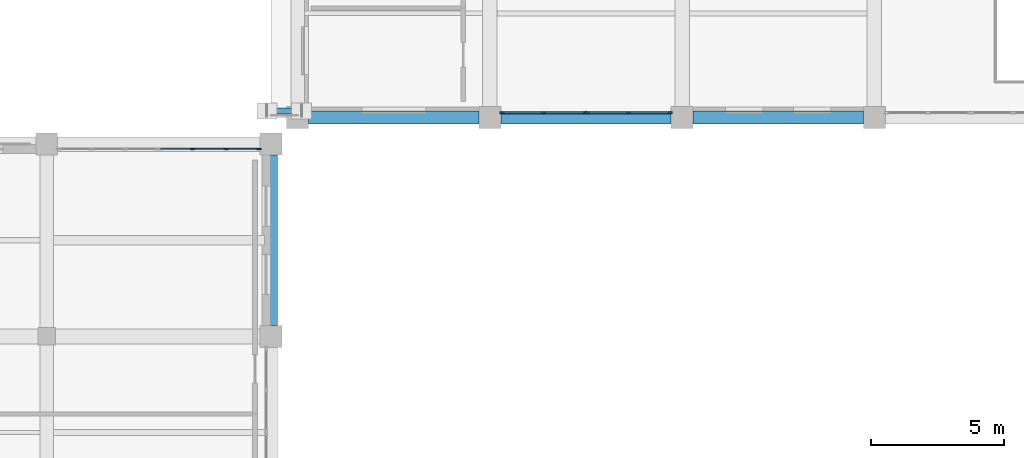
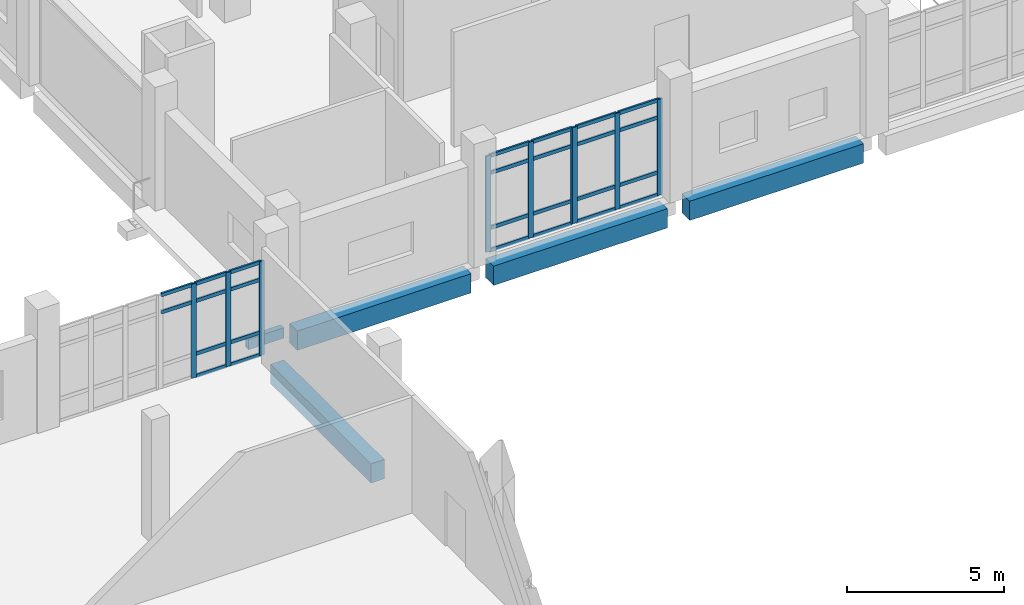
# One storey, part 8 of 90: 35 members, 5 beams, 3 elements without a shape of their own.
"""IFC4 building model written with IfcOpenShell, lengths in metres."""

from ifc_helpers import new_model, si_unit, direction, frame, origin, origin_2d, place, context, subcontext, project, spatial, rectangle, hollow_rectangle, extrude, material, layer, layer_set, material_profile, profile_set, type_object, element, aggregate, save


model = new_model("IFC4")

# Units and contexts
model_context = context("Model", 3, precision=1e-05, world=origin(), true_north=direction((0.0, 1.0)))
body_context = subcontext(model_context, "Body", "Model", "MODEL_VIEW")
ifc_project = project(units=[si_unit("LENGTHUNIT", "METRE"), si_unit("AREAUNIT", "SQUARE_METRE"), si_unit("VOLUMEUNIT", "CUBIC_METRE"), si_unit("PLANEANGLEUNIT", "RADIAN"), si_unit("MASSUNIT", "GRAM", prefix="KILO")], contexts=[model_context])

# Site, building, storey
site_placement = place(None, origin())
site = spatial("IfcSite", under=ifc_project, at=site_placement, CompositionType="ELEMENT")
building_placement = place(site_placement, origin())
building = spatial("IfcBuilding", under=site, at=building_placement, Name="Kelarvand Opera House", CompositionType="ELEMENT")
storey_placement = place(building_placement, frame((0.0, 0.0, 5.39990234375)))
storey = spatial("IfcBuildingStorey", under=building, at=storey_placement, Name="L01", CompositionType="ELEMENT", Elevation=5.39990234375)

# Curtain wall, members
ifc_material_1 = material(Name="Thermally broken aluminium and low-E glazing", Category="aluminium")
ifc_layer_1 = layer(ifc_material_1, 0.179931640625, Name="Thermally broken aluminium and low-E glazing", Category="aluminium")
ifc_layer_set_1 = layer_set([ifc_layer_1], Name="Thermally broken aluminium and low-E glazing")
curtain_wall_type_1 = type_object("IfcCurtainWallType", Name="Unitised Low-E Curtain Wall 3176x3730 Mod 1350 CWF-10", PredefinedType="USERDEFINED", material=ifc_layer_set_1)
curtain_wall_1_placement = place(storey_placement, origin())
curtain_wall_1 = element("IfcCurtainWall", 1, at=curtain_wall_1_placement, inside=storey, type_object=curtain_wall_type_1, Name="V2 L01 Curtain Wall CWF-10 (37)", ObjectType="UNITISED CURTAIN WALL", PredefinedType="USERDEFINED")
ifc_material_2 = material(Name="Thermally broken anodised aluminium", Category="aluminium")
ifc_material_profile_1 = material_profile(ifc_material_2, rectangle(XDim=0.06494140625, YDim=0.179931640625, at=origin_2d()), Name="ALU MULLION 65x180", Category="aluminium")
ifc_profile_set_1 = profile_set([ifc_material_profile_1], Name="Thermally broken anodised aluminium")
member_type_1 = type_object("IfcMemberType", Name="Curtain Wall Mullion 65x180 Aluminium", PredefinedType="MULLION", material=ifc_profile_set_1)
member_1_placement = place(storey_placement, frame((65.947509765625, 38.97998046875, 0.0), z_axis=(0.0, 0.0, 1.0), x_axis=(0.0, -1.0, 0.0)))
member_1 = element("IfcMember", 2, at=member_1_placement, type_object=member_type_1, Name="CWF-10 mullion 1", PredefinedType="MULLION", context=body_context, shape_type="SweptSolid", body=[
    extrude(rectangle(XDim=0.06494140625, YDim=0.179931640625, at=origin_2d()), origin(), (0.0, 0.0, 1.0), 3.72998046875),
])
member_2_placement = place(storey_placement, frame((64.39208984375, 38.97998046875, 0.0), z_axis=(0.0, 0.0, 1.0), x_axis=(0.0, -1.0, 0.0)))
member_2 = element("IfcMember", 3, at=member_2_placement, type_object=member_type_1, Name="CWF-10 mullion 2", PredefinedType="MULLION", context=body_context, shape_type="SweptSolid", body=[
    extrude(rectangle(XDim=0.06494140625, YDim=0.179931640625, at=origin_2d()), origin(), (0.0, 0.0, 1.0), 3.72998046875),
])
member_3_placement = place(storey_placement, frame((62.83642578125, 38.97998046875, 0.0), z_axis=(0.0, 0.0, 1.0), x_axis=(0.0, -1.0, 0.0)))
member_3 = element("IfcMember", 4, at=member_3_placement, type_object=member_type_1, Name="CWF-10 mullion 3", PredefinedType="MULLION", context=body_context, shape_type="SweptSolid", body=[
    extrude(rectangle(XDim=0.06494140625, YDim=0.179931640625, at=origin_2d()), origin(), (0.0, 0.0, 1.0), 3.72998046875),
])

curtain_wall_2_placement = place(storey_placement, origin())
curtain_wall_2 = element("IfcCurtainWall", 5, at=curtain_wall_2_placement, inside=storey, type_object=curtain_wall_type_1, Name="V2 L01 Curtain Wall CWF-10 (38)", ObjectType="UNITISED CURTAIN WALL", PredefinedType="USERDEFINED")
member_4_placement = place(storey_placement, frame((62.767578125, 38.97998046875, 0.0), z_axis=(0.0, 0.0, 1.0), x_axis=(0.0, -1.0, 0.0)))
member_4 = element("IfcMember", 6, at=member_4_placement, type_object=member_type_1, Name="CWF-10 mullion 1", PredefinedType="MULLION", context=body_context, shape_type="SweptSolid", body=[
    extrude(rectangle(XDim=0.06494140625, YDim=0.179931640625, at=origin_2d()), origin(), (0.0, 0.0, 1.0), 3.72998046875),
])
member_5_placement = place(storey_placement, frame((61.2099609375, 38.97998046875, 0.0), z_axis=(0.0, 0.0, 1.0), x_axis=(0.0, -1.0, 0.0)))
member_5 = element("IfcMember", 7, at=member_5_placement, type_object=member_type_1, Name="CWF-10 mullion 2", PredefinedType="MULLION", context=body_context, shape_type="SweptSolid", body=[
    extrude(rectangle(XDim=0.06494140625, YDim=0.179931640625, at=origin_2d()), origin(), (0.0, 0.0, 1.0), 3.72998046875),
])
member_6_placement = place(storey_placement, frame((59.652587890625, 38.97998046875, 0.0), z_axis=(0.0, 0.0, 1.0), x_axis=(0.0, -1.0, 0.0)))
member_6 = element("IfcMember", 8, at=member_6_placement, type_object=member_type_1, Name="CWF-10 mullion 3", PredefinedType="MULLION", context=body_context, shape_type="SweptSolid", body=[
    extrude(rectangle(XDim=0.06494140625, YDim=0.179931640625, at=origin_2d()), origin(), (0.0, 0.0, 1.0), 3.72998046875),
])

ifc_layer_2 = layer(ifc_material_1, 0.179931640625, Name="Thermally broken aluminium and low-E glazing", Category="aluminium")
ifc_layer_set_2 = layer_set([ifc_layer_2], Name="Thermally broken aluminium and low-E glazing")
curtain_wall_type_2 = type_object("IfcCurtainWallType", Name="Unitised Low-E Curtain Wall 3776x3650 Mod 1350 CWF-27", PredefinedType="USERDEFINED", material=ifc_layer_set_2)
curtain_wall_3_placement = place(storey_placement, origin())
curtain_wall_3 = element("IfcCurtainWall", 9, at=curtain_wall_3_placement, inside=storey, type_object=curtain_wall_type_2, Name="V4 L01 Curtain Wall CWF-27 (128)", ObjectType="UNITISED CURTAIN WALL", PredefinedType="USERDEFINED")
member_7_placement = place(storey_placement, frame((48.06005859375, 37.6201171875, 0.0), z_axis=(0.0, 0.0, 1.0), x_axis=(0.0, 1.0, 0.0)))
member_7 = element("IfcMember", 10, at=member_7_placement, type_object=member_type_1, Name="CWF-27 mullion 2", PredefinedType="MULLION", context=body_context, shape_type="SweptSolid", body=[
    extrude(rectangle(XDim=0.06494140625, YDim=0.179931640625, at=origin_2d()), origin(), (0.0, 0.0, 1.0), 3.650146484375),
])
member_8_placement = place(storey_placement, frame((49.320068359375, 37.6201171875, 0.0), z_axis=(0.0, 0.0, 1.0), x_axis=(0.0, 1.0, 0.0)))
member_8 = element("IfcMember", 11, at=member_8_placement, type_object=member_type_1, Name="CWF-27 mullion 3", PredefinedType="MULLION", context=body_context, shape_type="SweptSolid", body=[
    extrude(rectangle(XDim=0.06494140625, YDim=0.179931640625, at=origin_2d()), origin(), (0.0, 0.0, 1.0), 3.650146484375),
])
member_9_placement = place(storey_placement, frame((50.547607421875, 37.6201171875, 0.0), z_axis=(0.0, 0.0, 1.0), x_axis=(0.0, 1.0, 0.0)))
member_9 = element("IfcMember", 12, at=member_9_placement, type_object=member_type_1, Name="CWF-27 mullion 4", PredefinedType="MULLION", context=body_context, shape_type="SweptSolid", body=[
    extrude(rectangle(XDim=0.06494140625, YDim=0.179931640625, at=origin_2d()), origin(), (0.0, 0.0, 1.0), 3.650146484375),
])

# Member
ifc_material_profile_2 = material_profile(ifc_material_2, rectangle(XDim=0.06494140625, YDim=0.139892578125, at=origin_2d()), Name="ALU TRANSOM 65x140", Category="aluminium")
ifc_profile_set_2 = profile_set([ifc_material_profile_2], Name="Thermally broken anodised aluminium")
member_type_2 = type_object("IfcMemberType", Name="Curtain Wall Transom 65x140 Aluminium", PredefinedType="USERDEFINED", material=ifc_profile_set_2)
member_10_placement = place(storey_placement, frame((65.9150390625, 38.97998046875, 0.03271484375), z_axis=(-1.0, 0.0, 0.0), x_axis=(0.0, -1.0, 0.0)))
member_10 = element("IfcMember", 13, at=member_10_placement, type_object=member_type_2, Name="CWF-10 transom 1.1", ObjectType="TRANSOM", PredefinedType="USERDEFINED", context=body_context, shape_type="SweptSolid", body=[
    extrude(rectangle(XDim=0.06494140625, YDim=0.139892578125, at=origin_2d()), origin(), (0.0, 0.0, 1.0), 1.490478515625),
])

member_11_placement = place(storey_placement, frame((65.9150390625, 38.97998046875, 0.900146484375), z_axis=(-1.0, 0.0, 0.0), x_axis=(0.0, -1.0, 0.0)))
member_11 = element("IfcMember", 14, at=member_11_placement, type_object=member_type_2, Name="CWF-10 transom 1.2", ObjectType="TRANSOM", PredefinedType="USERDEFINED", context=body_context, shape_type="SweptSolid", body=[
    extrude(rectangle(XDim=0.06494140625, YDim=0.139892578125, at=origin_2d()), origin(), (0.0, 0.0, 1.0), 1.490478515625),
])

member_12_placement = place(storey_placement, frame((65.9150390625, 38.97998046875, 3.030029296875), z_axis=(-1.0, 0.0, 0.0), x_axis=(0.0, -1.0, 0.0)))
member_12 = element("IfcMember", 15, at=member_12_placement, type_object=member_type_2, Name="CWF-10 transom 1.3", ObjectType="TRANSOM", PredefinedType="USERDEFINED", context=body_context, shape_type="SweptSolid", body=[
    extrude(rectangle(XDim=0.06494140625, YDim=0.139892578125, at=origin_2d()), origin(), (0.0, 0.0, 1.0), 1.490478515625),
])

member_13_placement = place(storey_placement, frame((65.9150390625, 38.97998046875, 3.697509765625), z_axis=(-1.0, 0.0, 0.0), x_axis=(0.0, -1.0, 0.0)))
member_13 = element("IfcMember", 16, at=member_13_placement, type_object=member_type_2, Name="CWF-10 transom 1.4", ObjectType="TRANSOM", PredefinedType="USERDEFINED", context=body_context, shape_type="SweptSolid", body=[
    extrude(rectangle(XDim=0.06494140625, YDim=0.139892578125, at=origin_2d()), origin(), (0.0, 0.0, 1.0), 1.490478515625),
])

member_14_placement = place(storey_placement, frame((64.359619140625, 38.97998046875, 0.03271484375), z_axis=(-1.0, 0.0, 0.0), x_axis=(0.0, -1.0, 0.0)))
member_14 = element("IfcMember", 17, at=member_14_placement, type_object=member_type_2, Name="CWF-10 transom 2.1", ObjectType="TRANSOM", PredefinedType="USERDEFINED", context=body_context, shape_type="SweptSolid", body=[
    extrude(rectangle(XDim=0.06494140625, YDim=0.139892578125, at=origin_2d()), origin(), (0.0, 0.0, 1.0), 1.49072265625),
])

member_15_placement = place(storey_placement, frame((64.359619140625, 38.97998046875, 0.900146484375), z_axis=(-1.0, 0.0, 0.0), x_axis=(0.0, -1.0, 0.0)))
member_15 = element("IfcMember", 18, at=member_15_placement, type_object=member_type_2, Name="CWF-10 transom 2.2", ObjectType="TRANSOM", PredefinedType="USERDEFINED", context=body_context, shape_type="SweptSolid", body=[
    extrude(rectangle(XDim=0.06494140625, YDim=0.139892578125, at=origin_2d()), origin(), (0.0, 0.0, 1.0), 1.49072265625),
])

member_16_placement = place(storey_placement, frame((64.359619140625, 38.97998046875, 3.030029296875), z_axis=(-1.0, 0.0, 0.0), x_axis=(0.0, -1.0, 0.0)))
member_16 = element("IfcMember", 19, at=member_16_placement, type_object=member_type_2, Name="CWF-10 transom 2.3", ObjectType="TRANSOM", PredefinedType="USERDEFINED", context=body_context, shape_type="SweptSolid", body=[
    extrude(rectangle(XDim=0.06494140625, YDim=0.139892578125, at=origin_2d()), origin(), (0.0, 0.0, 1.0), 1.49072265625),
])

member_17_placement = place(storey_placement, frame((64.359619140625, 38.97998046875, 3.697509765625), z_axis=(-1.0, 0.0, 0.0), x_axis=(0.0, -1.0, 0.0)))
member_17 = element("IfcMember", 20, at=member_17_placement, type_object=member_type_2, Name="CWF-10 transom 2.4", ObjectType="TRANSOM", PredefinedType="USERDEFINED", context=body_context, shape_type="SweptSolid", body=[
    extrude(rectangle(XDim=0.06494140625, YDim=0.139892578125, at=origin_2d()), origin(), (0.0, 0.0, 1.0), 1.49072265625),
])

aggregate(curtain_wall_1, [member_1, member_2, member_3, member_10, member_11, member_12, member_13, member_14, member_15, member_16, member_17])

member_18_placement = place(storey_placement, frame((62.735107421875, 38.97998046875, 0.03271484375), z_axis=(-1.0, 0.0, 0.0), x_axis=(0.0, -1.0, 0.0)))
member_18 = element("IfcMember", 21, at=member_18_placement, type_object=member_type_2, Name="CWF-10 transom 1.1", ObjectType="TRANSOM", PredefinedType="USERDEFINED", context=body_context, shape_type="SweptSolid", body=[
    extrude(rectangle(XDim=0.06494140625, YDim=0.139892578125, at=origin_2d()), origin(), (0.0, 0.0, 1.0), 1.49267578125),
])

member_19_placement = place(storey_placement, frame((62.735107421875, 38.97998046875, 0.900146484375), z_axis=(-1.0, 0.0, 0.0), x_axis=(0.0, -1.0, 0.0)))
member_19 = element("IfcMember", 22, at=member_19_placement, type_object=member_type_2, Name="CWF-10 transom 1.2", ObjectType="TRANSOM", PredefinedType="USERDEFINED", context=body_context, shape_type="SweptSolid", body=[
    extrude(rectangle(XDim=0.06494140625, YDim=0.139892578125, at=origin_2d()), origin(), (0.0, 0.0, 1.0), 1.49267578125),
])

member_20_placement = place(storey_placement, frame((62.735107421875, 38.97998046875, 3.030029296875), z_axis=(-1.0, 0.0, 0.0), x_axis=(0.0, -1.0, 0.0)))
member_20 = element("IfcMember", 23, at=member_20_placement, type_object=member_type_2, Name="CWF-10 transom 1.3", ObjectType="TRANSOM", PredefinedType="USERDEFINED", context=body_context, shape_type="SweptSolid", body=[
    extrude(rectangle(XDim=0.06494140625, YDim=0.139892578125, at=origin_2d()), origin(), (0.0, 0.0, 1.0), 1.49267578125),
])

member_21_placement = place(storey_placement, frame((62.735107421875, 38.97998046875, 3.697509765625), z_axis=(-1.0, 0.0, 0.0), x_axis=(0.0, -1.0, 0.0)))
member_21 = element("IfcMember", 24, at=member_21_placement, type_object=member_type_2, Name="CWF-10 transom 1.4", ObjectType="TRANSOM", PredefinedType="USERDEFINED", context=body_context, shape_type="SweptSolid", body=[
    extrude(rectangle(XDim=0.06494140625, YDim=0.139892578125, at=origin_2d()), origin(), (0.0, 0.0, 1.0), 1.49267578125),
])

member_22_placement = place(storey_placement, frame((61.177490234375, 38.97998046875, 0.03271484375), z_axis=(-1.0, 0.0, 0.0), x_axis=(0.0, -1.0, 0.0)))
member_22 = element("IfcMember", 25, at=member_22_placement, type_object=member_type_2, Name="CWF-10 transom 2.1", ObjectType="TRANSOM", PredefinedType="USERDEFINED", context=body_context, shape_type="SweptSolid", body=[
    extrude(rectangle(XDim=0.06494140625, YDim=0.139892578125, at=origin_2d()), origin(), (0.0, 0.0, 1.0), 1.492431640625),
])

member_23_placement = place(storey_placement, frame((61.177490234375, 38.97998046875, 0.900146484375), z_axis=(-1.0, 0.0, 0.0), x_axis=(0.0, -1.0, 0.0)))
member_23 = element("IfcMember", 26, at=member_23_placement, type_object=member_type_2, Name="CWF-10 transom 2.2", ObjectType="TRANSOM", PredefinedType="USERDEFINED", context=body_context, shape_type="SweptSolid", body=[
    extrude(rectangle(XDim=0.06494140625, YDim=0.139892578125, at=origin_2d()), origin(), (0.0, 0.0, 1.0), 1.492431640625),
])

member_24_placement = place(storey_placement, frame((61.177490234375, 38.97998046875, 3.030029296875), z_axis=(-1.0, 0.0, 0.0), x_axis=(0.0, -1.0, 0.0)))
member_24 = element("IfcMember", 27, at=member_24_placement, type_object=member_type_2, Name="CWF-10 transom 2.3", ObjectType="TRANSOM", PredefinedType="USERDEFINED", context=body_context, shape_type="SweptSolid", body=[
    extrude(rectangle(XDim=0.06494140625, YDim=0.139892578125, at=origin_2d()), origin(), (0.0, 0.0, 1.0), 1.492431640625),
])

member_25_placement = place(storey_placement, frame((61.177490234375, 38.97998046875, 3.697509765625), z_axis=(-1.0, 0.0, 0.0), x_axis=(0.0, -1.0, 0.0)))
member_25 = element("IfcMember", 28, at=member_25_placement, type_object=member_type_2, Name="CWF-10 transom 2.4", ObjectType="TRANSOM", PredefinedType="USERDEFINED", context=body_context, shape_type="SweptSolid", body=[
    extrude(rectangle(XDim=0.06494140625, YDim=0.139892578125, at=origin_2d()), origin(), (0.0, 0.0, 1.0), 1.492431640625),
])

aggregate(curtain_wall_2, [member_4, member_5, member_6, member_18, member_19, member_20, member_21, member_22, member_23, member_24, member_25])

member_26_placement = place(storey_placement, frame((46.864990234375, 37.6201171875, 2.9501953125), z_axis=(1.0, 0.0, 0.0), x_axis=(0.0, 1.0, 0.0)))
member_26 = element("IfcMember", 29, at=member_26_placement, type_object=member_type_2, Name="CWF-27 transom 1.3", ObjectType="TRANSOM", PredefinedType="USERDEFINED", context=body_context, shape_type="SweptSolid", body=[
    extrude(rectangle(XDim=0.06494140625, YDim=0.139892578125, at=origin_2d()), origin(), (0.0, 0.0, 1.0), 1.16259765625),
])

member_27_placement = place(storey_placement, frame((46.864990234375, 37.6201171875, 3.61767578125), z_axis=(1.0, 0.0, 0.0), x_axis=(0.0, 1.0, 0.0)))
member_27 = element("IfcMember", 30, at=member_27_placement, type_object=member_type_2, Name="CWF-27 transom 1.4", ObjectType="TRANSOM", PredefinedType="USERDEFINED", context=body_context, shape_type="SweptSolid", body=[
    extrude(rectangle(XDim=0.06494140625, YDim=0.139892578125, at=origin_2d()), origin(), (0.0, 0.0, 1.0), 1.16259765625),
])

member_28_placement = place(storey_placement, frame((48.092529296875, 37.6201171875, 0.03271484375), z_axis=(1.0, 0.0, 0.0), x_axis=(0.0, 1.0, 0.0)))
member_28 = element("IfcMember", 31, at=member_28_placement, type_object=member_type_2, Name="CWF-27 transom 2.1", ObjectType="TRANSOM", PredefinedType="USERDEFINED", context=body_context, shape_type="SweptSolid", body=[
    extrude(rectangle(XDim=0.06494140625, YDim=0.139892578125, at=origin_2d()), origin(), (0.0, 0.0, 1.0), 1.195068359375),
])

member_29_placement = place(storey_placement, frame((48.092529296875, 37.6201171875, 0.900146484375), z_axis=(1.0, 0.0, 0.0), x_axis=(0.0, 1.0, 0.0)))
member_29 = element("IfcMember", 32, at=member_29_placement, type_object=member_type_2, Name="CWF-27 transom 2.2", ObjectType="TRANSOM", PredefinedType="USERDEFINED", context=body_context, shape_type="SweptSolid", body=[
    extrude(rectangle(XDim=0.06494140625, YDim=0.139892578125, at=origin_2d()), origin(), (0.0, 0.0, 1.0), 1.195068359375),
])

member_30_placement = place(storey_placement, frame((48.092529296875, 37.6201171875, 2.9501953125), z_axis=(1.0, 0.0, 0.0), x_axis=(0.0, 1.0, 0.0)))
member_30 = element("IfcMember", 33, at=member_30_placement, type_object=member_type_2, Name="CWF-27 transom 2.3", ObjectType="TRANSOM", PredefinedType="USERDEFINED", context=body_context, shape_type="SweptSolid", body=[
    extrude(rectangle(XDim=0.06494140625, YDim=0.139892578125, at=origin_2d()), origin(), (0.0, 0.0, 1.0), 1.195068359375),
])

member_31_placement = place(storey_placement, frame((48.092529296875, 37.6201171875, 3.61767578125), z_axis=(1.0, 0.0, 0.0), x_axis=(0.0, 1.0, 0.0)))
member_31 = element("IfcMember", 34, at=member_31_placement, type_object=member_type_2, Name="CWF-27 transom 2.4", ObjectType="TRANSOM", PredefinedType="USERDEFINED", context=body_context, shape_type="SweptSolid", body=[
    extrude(rectangle(XDim=0.06494140625, YDim=0.139892578125, at=origin_2d()), origin(), (0.0, 0.0, 1.0), 1.195068359375),
])

member_32_placement = place(storey_placement, frame((49.3525390625, 37.6201171875, 0.03271484375), z_axis=(1.0, 0.0, 0.0), x_axis=(0.0, 1.0, 0.0)))
member_32 = element("IfcMember", 35, at=member_32_placement, type_object=member_type_2, Name="CWF-27 transom 3.1", ObjectType="TRANSOM", PredefinedType="USERDEFINED", context=body_context, shape_type="SweptSolid", body=[
    extrude(rectangle(XDim=0.06494140625, YDim=0.139892578125, at=origin_2d()), origin(), (0.0, 0.0, 1.0), 1.162353515625),
])

member_33_placement = place(storey_placement, frame((49.3525390625, 37.6201171875, 0.900146484375), z_axis=(1.0, 0.0, 0.0), x_axis=(0.0, 1.0, 0.0)))
member_33 = element("IfcMember", 36, at=member_33_placement, type_object=member_type_2, Name="CWF-27 transom 3.2", ObjectType="TRANSOM", PredefinedType="USERDEFINED", context=body_context, shape_type="SweptSolid", body=[
    extrude(rectangle(XDim=0.06494140625, YDim=0.139892578125, at=origin_2d()), origin(), (0.0, 0.0, 1.0), 1.162353515625),
])

member_34_placement = place(storey_placement, frame((49.3525390625, 37.6201171875, 2.9501953125), z_axis=(1.0, 0.0, 0.0), x_axis=(0.0, 1.0, 0.0)))
member_34 = element("IfcMember", 37, at=member_34_placement, type_object=member_type_2, Name="CWF-27 transom 3.3", ObjectType="TRANSOM", PredefinedType="USERDEFINED", context=body_context, shape_type="SweptSolid", body=[
    extrude(rectangle(XDim=0.06494140625, YDim=0.139892578125, at=origin_2d()), origin(), (0.0, 0.0, 1.0), 1.162353515625),
])

member_35_placement = place(storey_placement, frame((49.3525390625, 37.6201171875, 3.61767578125), z_axis=(1.0, 0.0, 0.0), x_axis=(0.0, 1.0, 0.0)))
member_35 = element("IfcMember", 38, at=member_35_placement, type_object=member_type_2, Name="CWF-27 transom 3.4", ObjectType="TRANSOM", PredefinedType="USERDEFINED", context=body_context, shape_type="SweptSolid", body=[
    extrude(rectangle(XDim=0.06494140625, YDim=0.139892578125, at=origin_2d()), origin(), (0.0, 0.0, 1.0), 1.162353515625),
])

aggregate(curtain_wall_3, [member_7, member_8, member_9, member_26, member_27, member_28, member_29, member_30, member_31, member_32, member_33, member_34, member_35])

# Beams
ifc_material_3 = material(Name="Steel S355", Category="steel")
ifc_material_profile_3 = material_profile(ifc_material_3, hollow_rectangle(XDim=0.199951171875, YDim=0.39990234375, WallThickness=0.01611328125, at=origin_2d()), Name="RHS 400x200x16.0", Category="steel")
ifc_profile_set_3 = profile_set([ifc_material_profile_3], Name="Steel S355")
beam_type_1 = type_object("IfcBeamType", Name="Structural Beam RHS 400x200x16.0 BM-RHS400", PredefinedType="BEAM", material=ifc_profile_set_3)
beam_1_placement = place(storey_placement, frame((50.85009765625, 39.050048828125, -0.52001953125), z_axis=(1.0, 0.0, 0.0), x_axis=(0.0, 1.0, 0.0)))
element("IfcBeam", 39, at=beam_1_placement, inside=storey, type_object=beam_type_1, Name="Seismic Sliding Corbel Beam BR-JW-S L01 1", PredefinedType="BEAM", context=body_context, shape_type="SweptSolid", body=[
    extrude(hollow_rectangle(XDim=0.199951171875, YDim=0.39990234375, WallThickness=0.01611328125, at=origin_2d()), origin(), (0.0, 0.0, 1.0), 1.2998046875),
])
ifc_material_4 = material(Name="Concrete C40/50", Category="concrete")
ifc_material_profile_4 = material_profile(ifc_material_4, rectangle(XDim=0.5, YDim=0.75, at=origin_2d()), Name="RC 500x750", Category="concrete")
ifc_profile_set_4 = profile_set([ifc_material_profile_4], Name="Concrete C40/50")
beam_type_2 = type_object("IfcBeamType", Name="Structural Spandrel RC 500x750 SP-RC500x750E", PredefinedType="SPANDREL", material=ifc_profile_set_4)
beam_2_placement = place(storey_placement, frame((52.409912109375, 38.800048828125, -0.6748046875), z_axis=(1.0, 0.0, 0.0), x_axis=(0.0, 1.0, 0.0)))
element("IfcBeam", 40, at=beam_2_placement, inside=storey, type_object=beam_type_2, Name="V2 L01 Beam SP-RC500x750E", PredefinedType="SPANDREL", context=body_context, shape_type="SweptSolid", body=[
    extrude(rectangle(XDim=0.5, YDim=0.75, at=origin_2d()), origin(), (0.0, 0.0, 1.0), 6.380126953125),
])
for number, where, z_axis, x_axis, name in (
    (41, (59.610107421875, 38.800048828125, -0.6748046875), (1.0, 0.0, 0.0), (0.0, 1.0, 0.0), "V2 L01 Beam SP-RC500x750E"),
    (42, (66.81005859375, 38.800048828125, -0.6748046875), (1.0, 0.0, 0.0), (0.0, 1.0, 0.0), "V2 L01 Beam SP-RC500x750E"),
    (43, (51.0, 31.010009765625, -0.6748046875), (0.0, 1.0, 0.0), (-1.0, 0.0, 0.0), "V4 L01 Beam SP-RC500x750E"),
):
    element("IfcBeam", number, at=place(storey_placement, frame(where, z_axis=z_axis, x_axis=x_axis)), inside=storey, type_object=beam_type_2, Name=name, PredefinedType="SPANDREL", context=body_context, shape_type="SweptSolid", body=[
        extrude(rectangle(XDim=0.5, YDim=0.75, at=origin_2d()), origin(), (0.0, 0.0, 1.0), 6.3798828125),
    ])

save(model, "model.ifc")
